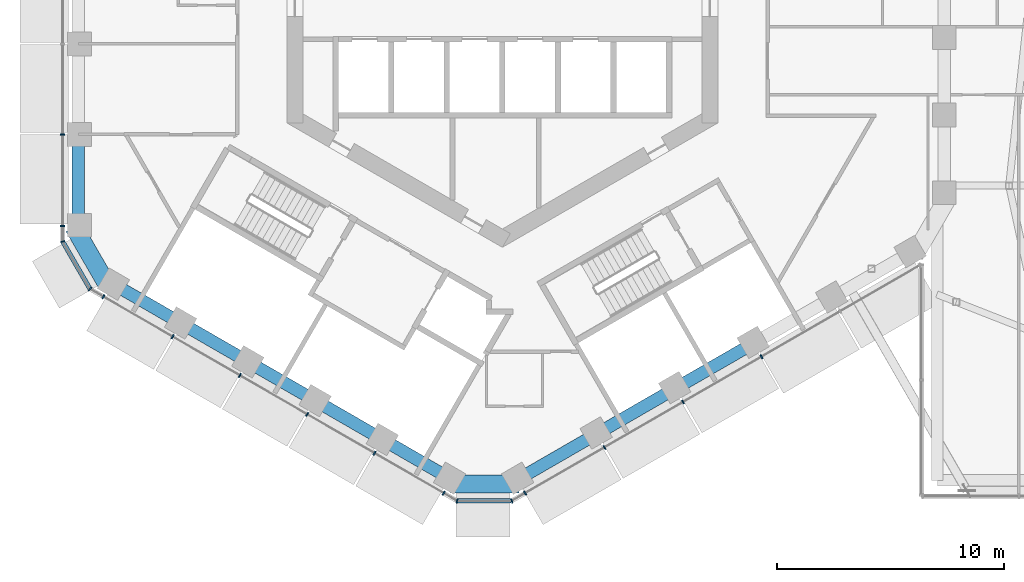
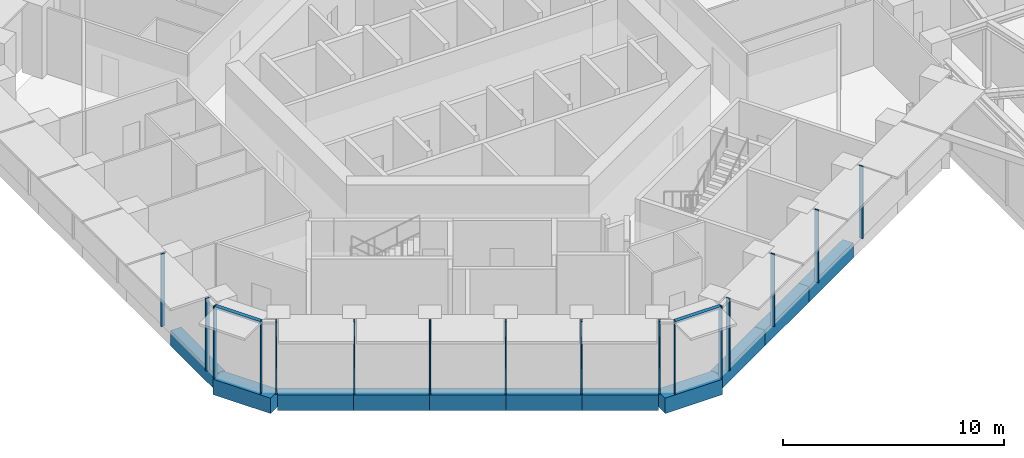
# One storey, part 2 of 24: 18 members, 11 beams, 5 elements without a shape of their own.
"""IFC4 building model written with IfcOpenShell, lengths in metres."""

from ifc_helpers import new_model, si_unit, direction, frame, origin, origin_2d, place, context, subcontext, project, spatial, rectangle, extrude, material, layer, layer_set, material_profile, profile_set, type_object, element, aggregate, save


model = new_model("IFC4")

# Units and contexts
model_context = context("Model", 3, precision=1e-05, world=origin(), true_north=direction((0.0, 1.0)))
body_context = subcontext(model_context, "Body", "Model", "MODEL_VIEW")
ifc_project = project(units=[si_unit("LENGTHUNIT", "METRE"), si_unit("AREAUNIT", "SQUARE_METRE"), si_unit("VOLUMEUNIT", "CUBIC_METRE"), si_unit("PLANEANGLEUNIT", "RADIAN"), si_unit("MASSUNIT", "GRAM", prefix="KILO")], contexts=[model_context])

# Site, building, storey
site_placement = place(None, origin())
site = spatial("IfcSite", under=ifc_project, at=site_placement, CompositionType="ELEMENT")
building_placement = place(site_placement, origin())
building = spatial("IfcBuilding", under=site, at=building_placement, Name="Ayvan Gate Tower", CompositionType="ELEMENT")
storey_placement = place(building_placement, frame((0.0, 0.0, 128.5)))
storey = spatial("IfcBuildingStorey", under=building, at=storey_placement, Name="L34", CompositionType="ELEMENT", Elevation=128.5)

# Beams
ifc_material_1 = material(Name="Concrete C40/50", Category="concrete")
ifc_material_profile_1 = material_profile(ifc_material_1, rectangle(XDim=0.800048828125, YDim=0.85009765625, at=origin_2d()), Name="RC 800x850")
ifc_profile_set_1 = profile_set([ifc_material_profile_1], Name="Concrete C40/50")
beam_type_1 = type_object("IfcBeamType", Name="Corner spandrel beam RC 800x850 C40/50", PredefinedType="BEAM", material=ifc_profile_set_1)
for number, where, z_axis, x_axis, name in (
    (1, (-18.89794921875, -10.0771484375, -0.824951171875), (0.499990139034, -0.866031096941, 0.0), (0.866031096941, 0.499990139034, 0.0), "SB-L34-24"),
    (2, (-2.278076171875, -21.40478515625, -0.824951171875), (1.0, 0.0, 0.0), (0.0, 1.0, 0.0), "SB-L34-30"),
):
    element("IfcBeam", number, at=place(storey_placement, frame(where, z_axis=z_axis, x_axis=x_axis)), inside=storey, type_object=beam_type_1, Name=name, PredefinedType="BEAM", context=body_context, shape_type="SweptSolid", body=[
        extrude(rectangle(XDim=0.800048828125, YDim=0.85009765625, at=origin_2d()), origin(), (0.0, 0.0, 1.0), 3.0),
    ])
ifc_material_profile_2 = material_profile(ifc_material_1, rectangle(XDim=0.550048828125, YDim=0.85009765625, at=origin_2d()), Name="RC 550x850")
ifc_profile_set_2 = profile_set([ifc_material_profile_2], Name="Concrete C40/50")
beam_type_2 = type_object("IfcBeamType", Name="Spandrel beam RC 550x850 C40/50", PredefinedType="BEAM", material=ifc_profile_set_2)
beam_1_placement = place(storey_placement, frame((-18.70751953125, -5.980224609375, -0.824951171875), z_axis=(0.0, -1.0, 0.0), x_axis=(1.0, 0.0, 0.0)))
element("IfcBeam", 3, at=beam_1_placement, inside=storey, type_object=beam_type_2, Name="SB-L34-23", PredefinedType="BEAM", context=body_context, shape_type="SweptSolid", body=[
    extrude(rectangle(XDim=0.550048828125, YDim=0.85009765625, at=origin_2d()), origin(), (0.0, 0.0, 1.0), 3.98681640625),
])
for number, where, z_axis, x_axis, name in (
    (4, (-17.20751953125, -12.565185546875, -0.824951171875), (0.866025213439, -0.500000329688, 0.0), (0.500000329688, 0.866025213439, 0.0), "SB-L34-25"),
    (5, (-14.2216796875, -14.2890625, -0.824951171875), (0.866025213439, -0.500000329688, 0.0), (0.500000329688, 0.866025213439, 0.0), "SB-L34-26"),
):
    element("IfcBeam", number, at=place(storey_placement, frame(where, z_axis=z_axis, x_axis=x_axis)), inside=storey, type_object=beam_type_2, Name=name, PredefinedType="BEAM", context=body_context, shape_type="SweptSolid", body=[
        extrude(rectangle(XDim=0.550048828125, YDim=0.85009765625, at=origin_2d()), origin(), (0.0, 0.0, 1.0), 3.44775390625),
    ])
beam_2_placement = place(storey_placement, frame((-11.23583984375, -16.012939453125, -0.824951171875), z_axis=(0.866012254999, -0.500022773673, 0.0), x_axis=(0.500022773673, 0.866012254999, 0.0)))
element("IfcBeam", 6, at=beam_2_placement, inside=storey, type_object=beam_type_2, Name="SB-L34-27", PredefinedType="BEAM", context=body_context, shape_type="SweptSolid", body=[
    extrude(rectangle(XDim=0.550048828125, YDim=0.85009765625, at=origin_2d()), origin(), (0.0, 0.0, 1.0), 3.447998046875),
])
for number, where, z_axis, x_axis, name in (
    (7, (-8.249755859375, -17.737060546875, -0.824951171875), (0.866025213439, -0.500000329688, 0.0), (0.500000329688, 0.866025213439, 0.0), "SB-L34-28"),
    (8, (-5.263916015625, -19.4609375, -0.824951171875), (0.866025213439, -0.500000329688, 0.0), (0.500000329688, 0.866025213439, 0.0), "SB-L34-29"),
):
    element("IfcBeam", number, at=place(storey_placement, frame(where, z_axis=z_axis, x_axis=x_axis)), inside=storey, type_object=beam_type_2, Name=name, PredefinedType="BEAM", context=body_context, shape_type="SweptSolid", body=[
        extrude(rectangle(XDim=0.550048828125, YDim=0.85009765625, at=origin_2d()), origin(), (0.0, 0.0, 1.0), 3.44775390625),
    ])
beam_3_placement = place(storey_placement, frame((0.721923828125, -21.184814453125, -0.824951171875), z_axis=(0.866022420826, 0.500005166599, 0.0), x_axis=(-0.500005166599, 0.866022420826, 0.0)))
element("IfcBeam", 9, at=beam_3_placement, inside=storey, type_object=beam_type_2, Name="SB-L34-31", PredefinedType="BEAM", context=body_context, shape_type="SweptSolid", body=[
    extrude(rectangle(XDim=0.550048828125, YDim=0.85009765625, at=origin_2d()), origin(), (0.0, 0.0, 1.0), 3.98681640625),
])
beam_4_placement = place(storey_placement, frame((4.174560546875, -19.19140625, -0.824951171875), z_axis=(0.86603772933, 0.499978650921, 0.0), x_axis=(-0.499978650921, 0.86603772933, 0.0)))
element("IfcBeam", 10, at=beam_4_placement, inside=storey, type_object=beam_type_2, Name="SB-L34-32", PredefinedType="BEAM", context=body_context, shape_type="SweptSolid", body=[
    extrude(rectangle(XDim=0.550048828125, YDim=0.85009765625, at=origin_2d()), origin(), (0.0, 0.0, 1.0), 3.987060546875),
])
beam_5_placement = place(storey_placement, frame((7.62744140625, -17.197998046875, -0.824951171875), z_axis=(0.865995903571, 0.500051092388, 0.0), x_axis=(-0.500051092388, 0.865995903571, 0.0)))
element("IfcBeam", 11, at=beam_5_placement, inside=storey, type_object=beam_type_2, Name="SB-L34-33", PredefinedType="BEAM", context=body_context, shape_type="SweptSolid", body=[
    extrude(rectangle(XDim=0.550048828125, YDim=0.85009765625, at=origin_2d()), origin(), (0.0, 0.0, 1.0), 3.98681640625),
])

# Curtain wall, members
ifc_material_2 = material(Name="Bronze anodised aluminium", Category="aluminium")
ifc_layer_1 = layer(ifc_material_2, 0.199951171875)
ifc_layer_set_1 = layer_set([ifc_layer_1], Name="Bronze anodised aluminium")
curtain_wall_type_1 = type_object("IfcCurtainWallType", Name="Stick curtain wall CW-1", PredefinedType="NOTDEFINED", material=ifc_layer_set_1)
curtain_wall_1_placement = place(storey_placement, origin())
curtain_wall_1 = element("IfcCurtainWall", 12, at=curtain_wall_1_placement, inside=storey, type_object=curtain_wall_type_1, Name="Stick curtain wall CW-1 L34", PredefinedType="NOTDEFINED")
ifc_material_profile_3 = material_profile(ifc_material_2, rectangle(XDim=0.199951171875, YDim=0.06005859375, at=origin_2d()), Name="Stick curtain wall CW-1 mullion 200 x 60")
ifc_profile_set_3 = profile_set([ifc_material_profile_3], Name="Bronze anodised aluminium")
member_type_1 = type_object("IfcMemberType", Name="Stick curtain wall CW-1 mullion 200 x 60", PredefinedType="MULLION", material=ifc_profile_set_3)
member_1_placement = place(storey_placement, frame((-19.39306640625, -5.997314453125, 0.0), z_axis=(0.0, 0.0, 1.0), x_axis=(-1.0, 0.0, 0.0)))
member_1 = element("IfcMember", 13, at=member_1_placement, type_object=member_type_1, Name="CW-1 mullion 5", PredefinedType="MULLION", context=body_context, shape_type="SweptSolid", body=[
    extrude(rectangle(XDim=0.199951171875, YDim=0.06005859375, at=origin_2d()), origin(), (0.0, 0.0, 1.0), 4.0),
])
member_2_placement = place(storey_placement, frame((-19.39306640625, -10.03759765625, 0.0), z_axis=(0.0, 0.0, 1.0), x_axis=(-1.0, 0.0, 0.0)))
member_2 = element("IfcMember", 14, at=member_2_placement, type_object=member_type_1, Name="CW-1 mullion 6", PredefinedType="MULLION", context=body_context, shape_type="SweptSolid", body=[
    extrude(rectangle(XDim=0.199951171875, YDim=0.06005859375, at=origin_2d()), origin(), (0.0, 0.0, 1.0), 4.0),
])
aggregate(curtain_wall_1, [member_1, member_2])

curtain_wall_2_placement = place(storey_placement, origin())
curtain_wall_2 = element("IfcCurtainWall", 15, at=curtain_wall_2_placement, inside=storey, type_object=curtain_wall_type_1, Name="Stick curtain wall CW-1 L34", PredefinedType="NOTDEFINED")
member_3_placement = place(storey_placement, frame((-17.596923828125, -13.148681640625, 0.0), z_axis=(0.0, 0.0, 1.0), x_axis=(-0.5, -0.866025403784, 0.0)))
member_3 = element("IfcMember", 16, at=member_3_placement, type_object=member_type_1, Name="CW-1 mullion 1", PredefinedType="MULLION", context=body_context, shape_type="SweptSolid", body=[
    extrude(rectangle(XDim=0.199951171875, YDim=0.06005859375, at=origin_2d()), origin(), (0.0, 0.0, 1.0), 4.0),
])
member_4_placement = place(storey_placement, frame((-14.54150390625, -14.91259765625, 0.0), z_axis=(0.0, 0.0, 1.0), x_axis=(-0.5, -0.866025403784, 0.0)))
member_4 = element("IfcMember", 17, at=member_4_placement, type_object=member_type_1, Name="CW-1 mullion 2", PredefinedType="MULLION", context=body_context, shape_type="SweptSolid", body=[
    extrude(rectangle(XDim=0.199951171875, YDim=0.06005859375, at=origin_2d()), origin(), (0.0, 0.0, 1.0), 4.0),
])
member_5_placement = place(storey_placement, frame((-11.575439453125, -16.625244140625, 0.0), z_axis=(0.0, 0.0, 1.0), x_axis=(-0.5, -0.866025403784, 0.0)))
member_5 = element("IfcMember", 18, at=member_5_placement, type_object=member_type_1, Name="CW-1 mullion 3", PredefinedType="MULLION", context=body_context, shape_type="SweptSolid", body=[
    extrude(rectangle(XDim=0.199951171875, YDim=0.06005859375, at=origin_2d()), origin(), (0.0, 0.0, 1.0), 4.0),
])
member_6_placement = place(storey_placement, frame((-8.609375, -18.337646484375, 0.0), z_axis=(0.0, 0.0, 1.0), x_axis=(-0.5, -0.866025403784, 0.0)))
member_6 = element("IfcMember", 19, at=member_6_placement, type_object=member_type_1, Name="CW-1 mullion 4", PredefinedType="MULLION", context=body_context, shape_type="SweptSolid", body=[
    extrude(rectangle(XDim=0.199951171875, YDim=0.06005859375, at=origin_2d()), origin(), (0.0, 0.0, 1.0), 4.0),
])
member_7_placement = place(storey_placement, frame((-5.643310546875, -20.05029296875, 0.0), z_axis=(0.0, 0.0, 1.0), x_axis=(-0.5, -0.866025403784, 0.0)))
member_7 = element("IfcMember", 20, at=member_7_placement, type_object=member_type_1, Name="CW-1 mullion 5", PredefinedType="MULLION", context=body_context, shape_type="SweptSolid", body=[
    extrude(rectangle(XDim=0.199951171875, YDim=0.06005859375, at=origin_2d()), origin(), (0.0, 0.0, 1.0), 4.0),
])
member_8_placement = place(storey_placement, frame((-2.588623046875, -21.813720703125, 0.0), z_axis=(0.0, 0.0, 1.0), x_axis=(-0.5, -0.866025403784, 0.0)))
member_8 = element("IfcMember", 21, at=member_8_placement, type_object=member_type_1, Name="CW-1 mullion 6", PredefinedType="MULLION", context=body_context, shape_type="SweptSolid", body=[
    extrude(rectangle(XDim=0.199951171875, YDim=0.06005859375, at=origin_2d()), origin(), (0.0, 0.0, 1.0), 4.0),
])
aggregate(curtain_wall_2, [member_3, member_4, member_5, member_6, member_7, member_8])

curtain_wall_3_placement = place(storey_placement, origin())
curtain_wall_3 = element("IfcCurtainWall", 22, at=curtain_wall_3_placement, inside=storey, type_object=curtain_wall_type_1, Name="Stick curtain wall CW-1 L34", PredefinedType="NOTDEFINED")
member_9_placement = place(storey_placement, frame((1.003662109375, -21.813720703125, 0.0), z_axis=(0.0, 0.0, 1.0), x_axis=(0.5, -0.866025403784, 0.0)))
member_9 = element("IfcMember", 23, at=member_9_placement, type_object=member_type_1, Name="CW-1 mullion 1", PredefinedType="MULLION", context=body_context, shape_type="SweptSolid", body=[
    extrude(rectangle(XDim=0.199951171875, YDim=0.06005859375, at=origin_2d()), origin(), (0.0, 0.0, 1.0), 4.0),
])
member_10_placement = place(storey_placement, frame((4.50244140625, -19.793701171875, 0.0), z_axis=(0.0, 0.0, 1.0), x_axis=(0.5, -0.866025403784, 0.0)))
member_10 = element("IfcMember", 24, at=member_10_placement, type_object=member_type_1, Name="CW-1 mullion 2", PredefinedType="MULLION", context=body_context, shape_type="SweptSolid", body=[
    extrude(rectangle(XDim=0.199951171875, YDim=0.06005859375, at=origin_2d()), origin(), (0.0, 0.0, 1.0), 4.0),
])
member_11_placement = place(storey_placement, frame((7.965576171875, -17.794189453125, 0.0), z_axis=(0.0, 0.0, 1.0), x_axis=(0.5, -0.866025403784, 0.0)))
member_11 = element("IfcMember", 25, at=member_11_placement, type_object=member_type_1, Name="CW-1 mullion 3", PredefinedType="MULLION", context=body_context, shape_type="SweptSolid", body=[
    extrude(rectangle(XDim=0.199951171875, YDim=0.06005859375, at=origin_2d()), origin(), (0.0, 0.0, 1.0), 4.0),
])
member_12_placement = place(storey_placement, frame((11.427978515625, -15.795166015625, 0.0), z_axis=(0.0, 0.0, 1.0), x_axis=(0.5, -0.866025403784, 0.0)))
member_12 = element("IfcMember", 26, at=member_12_placement, type_object=member_type_1, Name="CW-1 mullion 4", PredefinedType="MULLION", context=body_context, shape_type="SweptSolid", body=[
    extrude(rectangle(XDim=0.199951171875, YDim=0.06005859375, at=origin_2d()), origin(), (0.0, 0.0, 1.0), 4.0),
])
aggregate(curtain_wall_3, [member_9, member_10, member_11, member_12])

ifc_layer_2 = layer(ifc_material_2, 0.199951171875)
ifc_layer_set_2 = layer_set([ifc_layer_2], Name="Bronze anodised aluminium")
curtain_wall_type_2 = type_object("IfcCurtainWallType", Name="Stick curtain wall CW-6", PredefinedType="NOTDEFINED", material=ifc_layer_set_2)
curtain_wall_4_placement = place(storey_placement, origin())
curtain_wall_4 = element("IfcCurtainWall", 27, at=curtain_wall_4_placement, inside=storey, type_object=curtain_wall_type_2, Name="Stick curtain wall CW-6 L34", PredefinedType="NOTDEFINED")
ifc_material_profile_4 = material_profile(ifc_material_2, rectangle(XDim=0.199951171875, YDim=0.050048828125, at=origin_2d()), Name="Stick curtain wall CW-6 mullion 200 x 50")
ifc_profile_set_4 = profile_set([ifc_material_profile_4], Name="Bronze anodised aluminium")
member_type_2 = type_object("IfcMemberType", Name="Stick curtain wall CW-6 mullion 200 x 50", PredefinedType="MULLION", material=ifc_profile_set_4)
member_13_placement = place(storey_placement, frame((-19.39306640625, -10.717529296875, 0.0), z_axis=(0.0, 0.0, 1.0), x_axis=(-0.965925826289, -0.258819045103, 0.0)))
member_13 = element("IfcMember", 28, at=member_13_placement, type_object=member_type_2, Name="CW-6 mullion 2", PredefinedType="MULLION", context=body_context, shape_type="SweptSolid", body=[
    extrude(rectangle(XDim=0.199951171875, YDim=0.050048828125, at=origin_2d()), origin(), (0.0, 0.0, 1.0), 4.0),
])
member_14_placement = place(storey_placement, frame((-18.185791015625, -12.80859375, 0.0), z_axis=(0.0, 0.0, 1.0), x_axis=(-0.707106781187, -0.707106781187, 0.0)))
member_14 = element("IfcMember", 29, at=member_14_placement, type_object=member_type_2, Name="CW-6 mullion 3", PredefinedType="MULLION", context=body_context, shape_type="SweptSolid", body=[
    extrude(rectangle(XDim=0.199951171875, YDim=0.050048828125, at=origin_2d()), origin(), (0.0, 0.0, 1.0), 4.0),
])

curtain_wall_5_placement = place(storey_placement, origin())
curtain_wall_5 = element("IfcCurtainWall", 30, at=curtain_wall_5_placement, inside=storey, type_object=curtain_wall_type_2, Name="Stick curtain wall CW-6 L34", PredefinedType="NOTDEFINED")
member_15_placement = place(storey_placement, frame((-1.999755859375, -22.15380859375, 0.0), z_axis=(0.0, 0.0, 1.0), x_axis=(-0.258819045103, -0.965925826289, 0.0)))
member_15 = element("IfcMember", 31, at=member_15_placement, type_object=member_type_2, Name="CW-6 mullion 2", PredefinedType="MULLION", context=body_context, shape_type="SweptSolid", body=[
    extrude(rectangle(XDim=0.199951171875, YDim=0.050048828125, at=origin_2d()), origin(), (0.0, 0.0, 1.0), 4.0),
])
member_16_placement = place(storey_placement, frame((0.414794921875, -22.15380859375, 0.0), z_axis=(0.0, 0.0, 1.0), x_axis=(0.258819045103, -0.965925826289, 0.0)))
member_16 = element("IfcMember", 32, at=member_16_placement, type_object=member_type_2, Name="CW-6 mullion 3", PredefinedType="MULLION", context=body_context, shape_type="SweptSolid", body=[
    extrude(rectangle(XDim=0.199951171875, YDim=0.050048828125, at=origin_2d()), origin(), (0.0, 0.0, 1.0), 4.0),
])

# Member
ifc_material_profile_5 = material_profile(ifc_material_2, rectangle(XDim=0.199951171875, YDim=0.1201171875, at=origin_2d()), Name="Stick curtain wall CW-6 transom 200 x 120")
ifc_profile_set_5 = profile_set([ifc_material_profile_5], Name="Bronze anodised aluminium")
member_type_3 = type_object("IfcMemberType", Name="Stick curtain wall CW-6 transom 200 x 120", PredefinedType="USERDEFINED", material=ifc_profile_set_5)
member_17_placement = place(storey_placement, frame((-19.380615234375, -10.7392578125, 3.93994140625), z_axis=(0.500014398087, -0.866017090885, 0.0), x_axis=(0.866017090885, 0.500014398087, 0.0)))
member_17 = element("IfcMember", 33, at=member_17_placement, type_object=member_type_3, Name="CW-6 transom 2", ObjectType="TRANSOM", PredefinedType="USERDEFINED", context=body_context, shape_type="SweptSolid", body=[
    extrude(rectangle(XDim=0.199951171875, YDim=0.1201171875, at=origin_2d()), origin(), (0.0, 0.0, 1.0), 2.36474609375),
])

aggregate(curtain_wall_4, [member_13, member_14, member_17])

member_18_placement = place(storey_placement, frame((-1.974853515625, -22.15380859375, 3.93994140625), z_axis=(1.0, 0.0, 0.0), x_axis=(0.0, 1.0, 0.0)))
member_18 = element("IfcMember", 34, at=member_18_placement, type_object=member_type_3, Name="CW-6 transom 2", ObjectType="TRANSOM", PredefinedType="USERDEFINED", context=body_context, shape_type="SweptSolid", body=[
    extrude(rectangle(XDim=0.199951171875, YDim=0.1201171875, at=origin_2d()), origin(), (0.0, 0.0, 1.0), 2.36474609375),
])

aggregate(curtain_wall_5, [member_15, member_16, member_18])

save(model, "model.ifc")
